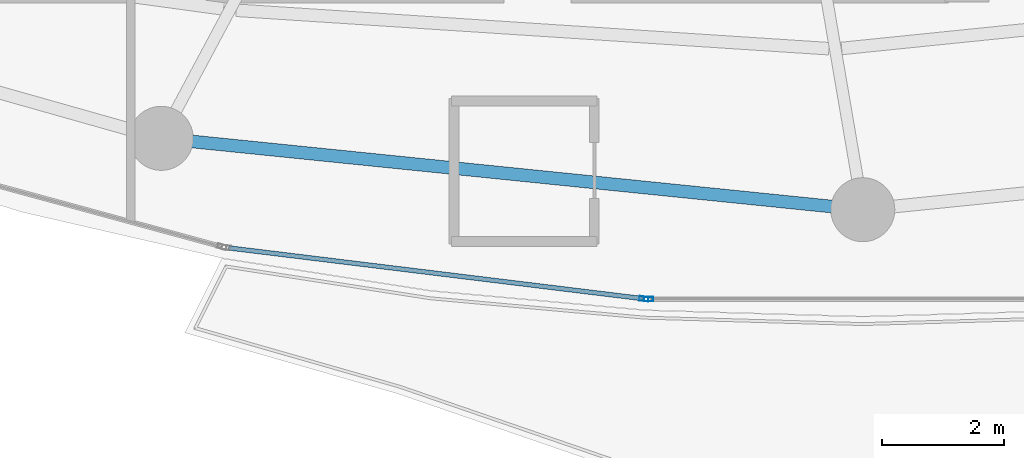
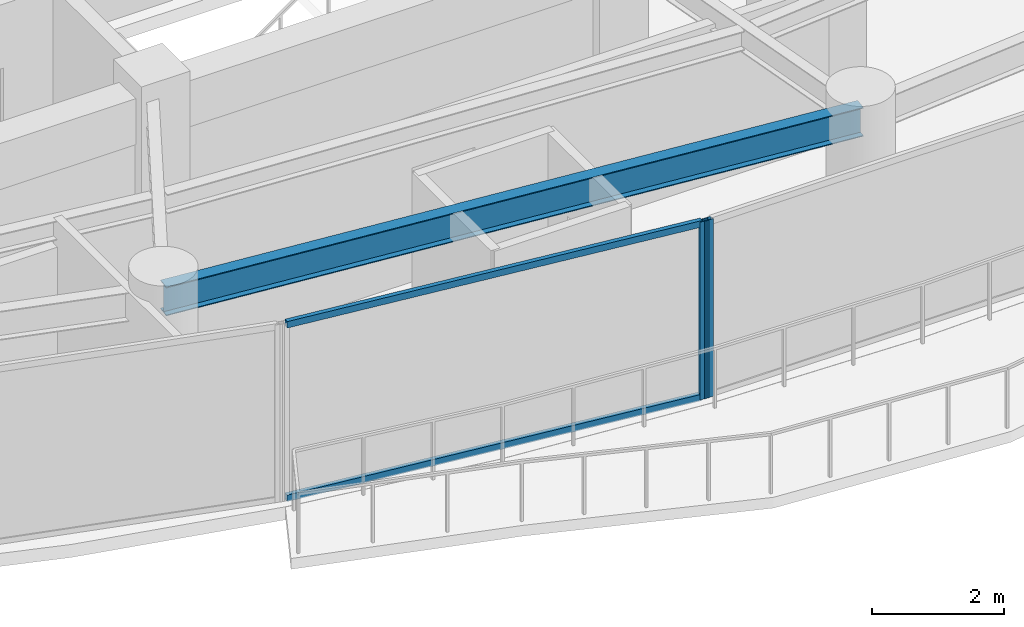
# One storey, part 6 of 31: 4 members, 1 beam, 2 elements without a shape of their own.
"""IFC4 building model written with IfcOpenShell, lengths in metres."""

import ifcopenshell
import ifcopenshell.guid

model = None  # the IFC model being written
_history = None  # IfcOwnerHistory: only IFC2X3 demands one
_inside = {}  # id of a spatial element -> (the spatial element, [elements in it])
_under = {}  # id of a project, library or spatial element -> (it, [spatial elements below it])
_declared = {}  # id of a project -> (the project, [libraries it declares])
_typed = {}  # id of a type object -> (the type object, [elements of that type])
_made_of = {}  # id of a material, layer set ... -> (it, [elements and type objects made of it])


def new_model(schema):
    """Start an empty IFC model of exactly this schema.

    Asked for "IFC4X3", IfcOpenShell would pick the latest addendum, in which some entities
    have other attributes; the version numbers below select the first issue.
    IFC2X3 requires an IfcOwnerHistory on every rooted entity: one is made here for all.
    """
    global model, _history
    if schema == "IFC4X3":
        model = ifcopenshell.file(schema_version=(4, 3, 0, 0))
    else:
        model = ifcopenshell.file(schema=schema)
    _inside.clear()
    _under.clear()
    _declared.clear()
    _typed.clear()
    _made_of.clear()
    _history = None
    if model.schema == "IFC2X3":
        org = make("IfcOrganization", Name="unknown")
        user = make(
            "IfcPersonAndOrganization",
            ThePerson=make("IfcPerson", FamilyName="unknown"),
            TheOrganization=org,
        )
        app = make(
            "IfcApplication",
            ApplicationDeveloper=org,
            Version="unknown",
            ApplicationFullName="unknown",
            ApplicationIdentifier="unknown",
        )
        _history = make(
            "IfcOwnerHistory",
            OwningUser=user,
            OwningApplication=app,
            ChangeAction="ADDED",
            CreationDate=0,
        )
    return model


def make(cls, **values):
    """One entity of the class cls with the attributes given. An attribute that is None is left unset."""
    return model.create_entity(
        cls, **{name: value for name, value in values.items() if value is not None}
    )


def rooted(cls, **values):
    """An entity with a GlobalId (a new one), such as an element, a storey or a relation."""
    return make(cls, GlobalId=ifcopenshell.guid.new(), OwnerHistory=_history, **values)


def si_unit(unit_type, name, prefix=None):
    """IfcSIUnit, for example si_unit("LENGTHUNIT", "METRE", prefix="MILLI")."""
    return make("IfcSIUnit", UnitType=unit_type, Prefix=prefix, Name=name)


def assignment(units):
    """IfcUnitAssignment: the units of a project."""
    return None if units is None else make("IfcUnitAssignment", Units=units)


def point(xyz):
    """IfcCartesianPoint."""
    return None if xyz is None else make("IfcCartesianPoint", Coordinates=xyz)


def direction(xyz):
    """IfcDirection."""
    return None if xyz is None else make("IfcDirection", DirectionRatios=xyz)


def frame(location, z_axis=None, x_axis=None):
    """IfcAxis2Placement3D, a coordinate frame: its origin and axes. An axis left out is left unset."""
    return make(
        "IfcAxis2Placement3D",
        Location=point(location),
        Axis=direction(z_axis),
        RefDirection=direction(x_axis),
    )


def frame_2d(location, x_axis=None):
    """IfcAxis2Placement2D, a coordinate frame in the plane: its origin and x axis."""
    return make(
        "IfcAxis2Placement2D", Location=point(location), RefDirection=direction(x_axis)
    )


def origin():
    """The frame at (0, 0, 0) with its axes left unset."""
    return frame((0.0, 0.0, 0.0))


def origin_2d():
    """The frame at (0, 0) in the plane with its x axis left unset."""
    return frame_2d((0.0, 0.0))


def place(relative_to, where):
    """IfcLocalPlacement: puts the frame where relative to a parent placement (None: the world)."""
    return make(
        "IfcLocalPlacement", PlacementRelTo=relative_to, RelativePlacement=where
    )


def context(
    kind, dimensions, precision=None, world=None, true_north=None, identifier=None
):
    """IfcGeometricRepresentationContext, for example the 3D "Model" context."""
    return make(
        "IfcGeometricRepresentationContext",
        ContextIdentifier=identifier,
        ContextType=kind,
        CoordinateSpaceDimension=dimensions,
        Precision=precision,
        WorldCoordinateSystem=world,
        TrueNorth=true_north,
    )


def subcontext(parent, identifier, kind, view, scale=None):
    """IfcGeometricRepresentationSubContext, for example "Body" below "Model"."""
    return make(
        "IfcGeometricRepresentationSubContext",
        ContextIdentifier=identifier,
        ContextType=kind,
        ParentContext=parent,
        TargetScale=scale,
        TargetView=view,
    )


def project(units=None, contexts=None):
    """IfcProject with its units and contexts."""
    return rooted(
        "IfcProject",
        Name="project",
        RepresentationContexts=contexts,
        UnitsInContext=assignment(units),
    )


def spatial(cls, under=None, at=None, **own):
    """A site, building, storey or space (cls), placed at a placement, below another one or the project."""
    s = rooted(cls, ObjectPlacement=at, **own)
    if under is not None:
        _under.setdefault(under.id(), (under, []))[1].append(s)
    return s


def profile(cls, at=None, kind="AREA", **sizes):
    """A parametric profile (cls). Its sizes go by their IFC names, for example OverallWidth=200.0."""
    return make(cls, ProfileType=kind, Position=at, **sizes)


def hollow_rectangle(**sizes):
    """IfcRectangleHollowProfileDef."""
    return profile("IfcRectangleHollowProfileDef", **sizes)


def i_section(**sizes):
    """IfcIShapeProfileDef."""
    return profile("IfcIShapeProfileDef", **sizes)


def extrude(swept, where, along, depth):
    """IfcExtrudedAreaSolid: the profile swept, set in the frame where, extruded along a direction by depth."""
    return make(
        "IfcExtrudedAreaSolid",
        SweptArea=swept,
        Position=where,
        ExtrudedDirection=direction(along),
        Depth=depth,
    )


def shape(context_of_items, identifier, shape_type, items):
    """IfcShapeRepresentation: the items that make up one representation, for example the "Body"."""
    return make(
        "IfcShapeRepresentation",
        ContextOfItems=context_of_items,
        RepresentationIdentifier=identifier,
        RepresentationType=shape_type,
        Items=items,
    )


def material(Name=None, Category=None):
    """IfcMaterial."""
    return make("IfcMaterial", Name=Name, Category=Category)


def layer(
    of_material, thickness, ventilated=None, Name=None, Category=None, Priority=None
):
    """IfcMaterialLayer: one layer of a wall or slab, of a material (None: an air gap)."""
    return make(
        "IfcMaterialLayer",
        Material=of_material,
        LayerThickness=thickness,
        IsVentilated=ventilated,
        Name=Name,
        Category=Category,
        Priority=Priority,
    )


def layer_set(layers, Name=None):
    """IfcMaterialLayerSet."""
    return make("IfcMaterialLayerSet", MaterialLayers=layers, LayerSetName=Name)


def material_profile(
    of_material, cross_section, Name=None, Category=None, Priority=None
):
    """IfcMaterialProfile: a cross section and its material."""
    return make(
        "IfcMaterialProfile",
        Name=Name,
        Material=of_material,
        Profile=cross_section,
        Priority=Priority,
        Category=Category,
    )


def profile_set(profiles, Name=None, composite=None):
    """IfcMaterialProfileSet."""
    return make(
        "IfcMaterialProfileSet",
        Name=Name,
        MaterialProfiles=profiles,
        CompositeProfile=composite,
    )


def made_of(thing, what):
    """Note that an element or type object is made of a material, layer set ...; save() writes the relation."""
    if what is not None:
        _made_of.setdefault(what.id(), (what, []))[1].append(thing)
    return thing


def type_object(cls, material=None, **own):
    """A type object (cls), such as IfcWallType, which elements share."""
    return made_of(rooted(cls, **own), material)


def element(
    cls,
    number,
    at=None,
    inside=None,
    cuts=None,
    type_object=None,
    material=None,
    context=None,
    identifier="Body",
    shape_type=None,
    held_by="IfcProductDefinitionShape",
    body=None,
    shapes=None,
    **own,
):
    """One element of the class cls, such as IfcWall. Its Tag is "e" and its number.

    at: its placement. inside: the storey or other place that contains it. cuts: it is an
    opening in that element (IfcRelVoidsElement). A single representation is given by context,
    identifier, shape_type and body (its items); several are given by shapes. held_by: the class
    of the entity that holds the representations. save() writes the other relations.
    """
    e = rooted(cls, Tag="e%d" % number, ObjectPlacement=at, **own)
    if body is not None:
        shapes = [shape(context, identifier, shape_type, body)]
    if shapes is not None:
        e.Representation = make(held_by, Representations=shapes)
    if inside is not None:
        _inside.setdefault(inside.id(), (inside, []))[1].append(e)
    if cuts is not None:
        rooted(
            "IfcRelVoidsElement", RelatingBuildingElement=cuts, RelatedOpeningElement=e
        )
    if type_object is not None:
        _typed.setdefault(type_object.id(), (type_object, []))[1].append(e)
    return made_of(e, material)


def aggregate(whole, parts):
    """IfcRelAggregates: a whole, such as a stair, and the parts it consists of."""
    return rooted("IfcRelAggregates", RelatingObject=whole, RelatedObjects=parts)


def save(model, path):
    """Write the relations noted so far, then the file.

    IfcRelAggregates (storeys below a building ...), IfcRelContainedInSpatialStructure (elements
    in a storey), IfcRelDefinesByType, IfcRelAssociatesMaterial and IfcRelDeclares: one each for
    every whole, place, type object, material and project.
    """
    for whole, parts in _under.values():
        aggregate(whole, parts)
    for where, things in _inside.values():
        rooted(
            "IfcRelContainedInSpatialStructure",
            RelatedElements=things,
            RelatingStructure=where,
        )
    for kind, things in _typed.values():
        rooted("IfcRelDefinesByType", RelatedObjects=things, RelatingType=kind)
    for what, things in _made_of.values():
        rooted("IfcRelAssociatesMaterial", RelatedObjects=things, RelatingMaterial=what)
    for by, libraries in _declared.values():
        rooted("IfcRelDeclares", RelatingContext=by, RelatedDefinitions=libraries)
    model.write(path)


model = new_model("IFC4")

# Units and contexts
model_context = context("Model", 3, precision=1e-05, world=origin(), true_north=direction((0.0, 1.0)))
body_context = subcontext(model_context, "Body", "Model", "MODEL_VIEW")
ifc_project = project(units=[si_unit("LENGTHUNIT", "METRE"), si_unit("AREAUNIT", "SQUARE_METRE"), si_unit("VOLUMEUNIT", "CUBIC_METRE"), si_unit("PLANEANGLEUNIT", "RADIAN"), si_unit("MASSUNIT", "GRAM", prefix="KILO")], contexts=[model_context])

# Site, building, storey
site_placement = place(None, origin())
site = spatial("IfcSite", under=ifc_project, at=site_placement, CompositionType="ELEMENT")
building_placement = place(site_placement, origin())
building = spatial("IfcBuilding", under=site, at=building_placement, Name="Kazevale Care Tower and Concert Hall", CompositionType="ELEMENT")
storey_placement = place(building_placement, frame((0.0, 0.0, 187.199951171875)))
storey = spatial("IfcBuildingStorey", under=building, at=storey_placement, Name="L49", CompositionType="ELEMENT", Elevation=187.199951171875)

# Curtain wall, member
ifc_material_1 = material(Name="Aluminium 6063-T6 and Low-E Glass", Category="aluminium")
ifc_layer = layer(ifc_material_1, 0.179931640625)
ifc_layer_set = layer_set([ifc_layer], Name="Aluminium 6063-T6 and Low-E Glass")
curtain_wall_type = type_object("IfcCurtainWallType", Name="Sheltered Concave Balcony Curtain Wall CW-5", PredefinedType="NOTDEFINED", material=ifc_layer_set)
curtain_wall_1_placement = place(storey_placement, origin())
curtain_wall_1 = element("IfcCurtainWall", 1, at=curtain_wall_1_placement, inside=storey, type_object=curtain_wall_type, Name="cw:L49:f06", PredefinedType="NOTDEFINED")
ifc_material_2 = material(Name="Aluminium 6063-T6", Category="aluminium")
ifc_material_profile_1 = material_profile(ifc_material_2, hollow_rectangle(XDim=0.074951171875, YDim=0.14990234375, WallThickness=0.00390625, at=origin_2d()), Name="ALU75x150x4")
ifc_profile_set_1 = profile_set([ifc_material_profile_1], Name="Aluminium 6063-T6")
member_type_1 = type_object("IfcMemberType", Name="CW-5 Mullion ALU75x150x4", PredefinedType="MULLION", material=ifc_profile_set_1)
member_1_placement = place(storey_placement, frame((41.487548828125, 16.284912109375, 0.0), z_axis=(0.0, 0.0, 1.0), x_axis=(0.0, -1.0, 0.0)))
member_1 = element("IfcMember", 2, at=member_1_placement, type_object=member_type_1, Name="CW-5 mullion 2", PredefinedType="MULLION", context=body_context, shape_type="SweptSolid", body=[
    extrude(hollow_rectangle(XDim=0.074951171875, YDim=0.14990234375, WallThickness=0.00390625, at=origin_2d()), origin(), (0.0, 0.0, 1.0), 3.280029296875),
])
aggregate(curtain_wall_1, [member_1])

# Curtain wall, members
curtain_wall_2_placement = place(storey_placement, origin())
curtain_wall_2 = element("IfcCurtainWall", 3, at=curtain_wall_2_placement, inside=storey, type_object=curtain_wall_type, Name="cw:L49:f07", PredefinedType="NOTDEFINED")
member_2_placement = place(storey_placement, frame((41.412841796875, 16.28955078125, 0.0), z_axis=(0.0, 0.0, 1.0), x_axis=(-0.121650797964, -0.992572961225, 0.0)))
member_2 = element("IfcMember", 4, at=member_2_placement, type_object=member_type_1, Name="CW-5 mullion 1", PredefinedType="MULLION", context=body_context, shape_type="SweptSolid", body=[
    extrude(hollow_rectangle(XDim=0.074951171875, YDim=0.14990234375, WallThickness=0.00390625, at=origin_2d()), origin(), (0.0, 0.0, 1.0), 3.280029296875),
])
ifc_material_profile_2 = material_profile(ifc_material_2, hollow_rectangle(XDim=0.074951171875, YDim=0.1201171875, WallThickness=0.00390625, at=origin_2d()), Name="ALU75x120x4")
ifc_profile_set_2 = profile_set([ifc_material_profile_2], Name="Aluminium 6063-T6")
member_type_2 = type_object("IfcMemberType", Name="CW-5 Transom ALU75x120x4", PredefinedType="USERDEFINED", material=ifc_profile_set_2)
member_3_placement = place(storey_placement, frame((41.37548828125, 16.294189453125, 0.03759765625), z_axis=(-0.992575633306, 0.121628993941, 0.0), x_axis=(-0.121628993941, -0.992575633306, 0.0)))
member_3 = element("IfcMember", 5, at=member_3_placement, type_object=member_type_2, Name="CW-5 transom 1.1", ObjectType="TRANSOM", PredefinedType="USERDEFINED", context=body_context, shape_type="SweptSolid", body=[
    extrude(hollow_rectangle(XDim=0.074951171875, YDim=0.1201171875, WallThickness=0.00390625, at=origin_2d()), origin(), (0.0, 0.0, 1.0), 6.820556640625),
])
member_4_placement = place(storey_placement, frame((41.37548828125, 16.294189453125, 3.242431640625), z_axis=(-0.992575633306, 0.121628993941, 0.0), x_axis=(-0.121628993941, -0.992575633306, 0.0)))
member_4 = element("IfcMember", 6, at=member_4_placement, type_object=member_type_2, Name="CW-5 transom 1.2", ObjectType="TRANSOM", PredefinedType="USERDEFINED", context=body_context, shape_type="SweptSolid", body=[
    extrude(hollow_rectangle(XDim=0.074951171875, YDim=0.1201171875, WallThickness=0.00390625, at=origin_2d()), origin(), (0.0, 0.0, 1.0), 6.820556640625),
])
aggregate(curtain_wall_2, [member_2, member_3, member_4])

# Beam
ifc_material_3 = material(Name="Steel ASTM A572 Gr 50", Category="steel")
ifc_material_profile_3 = material_profile(ifc_material_3, i_section(OverallWidth=0.208984375, OverallDepth=0.532958984375, WebThickness=0.01025390625, FlangeThickness=0.015625, at=origin_2d()), Name="W530x92")
ifc_profile_set_3 = profile_set([ifc_material_profile_3], Name="Steel ASTM A572 Gr 50")
beam_type = type_object("IfcBeamType", Name="Upper Ring Beam W530x92", PredefinedType="BEAM", material=ifc_profile_set_3)
beam_placement = place(storey_placement, frame((33.5, 18.919921875, 3.013427734375), z_axis=(0.994865089307, -0.101209950492, 0.0), x_axis=(0.101209950492, 0.994865089307, 0.0)))
element("IfcBeam", 7, at=beam_placement, inside=storey, type_object=beam_type, Name="beam:L49:ring:12", PredefinedType="BEAM", context=body_context, shape_type="SweptSolid", body=[
    extrude(i_section(OverallWidth=0.208984375, OverallDepth=0.532958984375, WebThickness=0.01025390625, FlangeThickness=0.015625, at=origin_2d()), origin(), (0.0, 0.0, 1.0), 11.559326171875),
])

save(model, "model.ifc")
